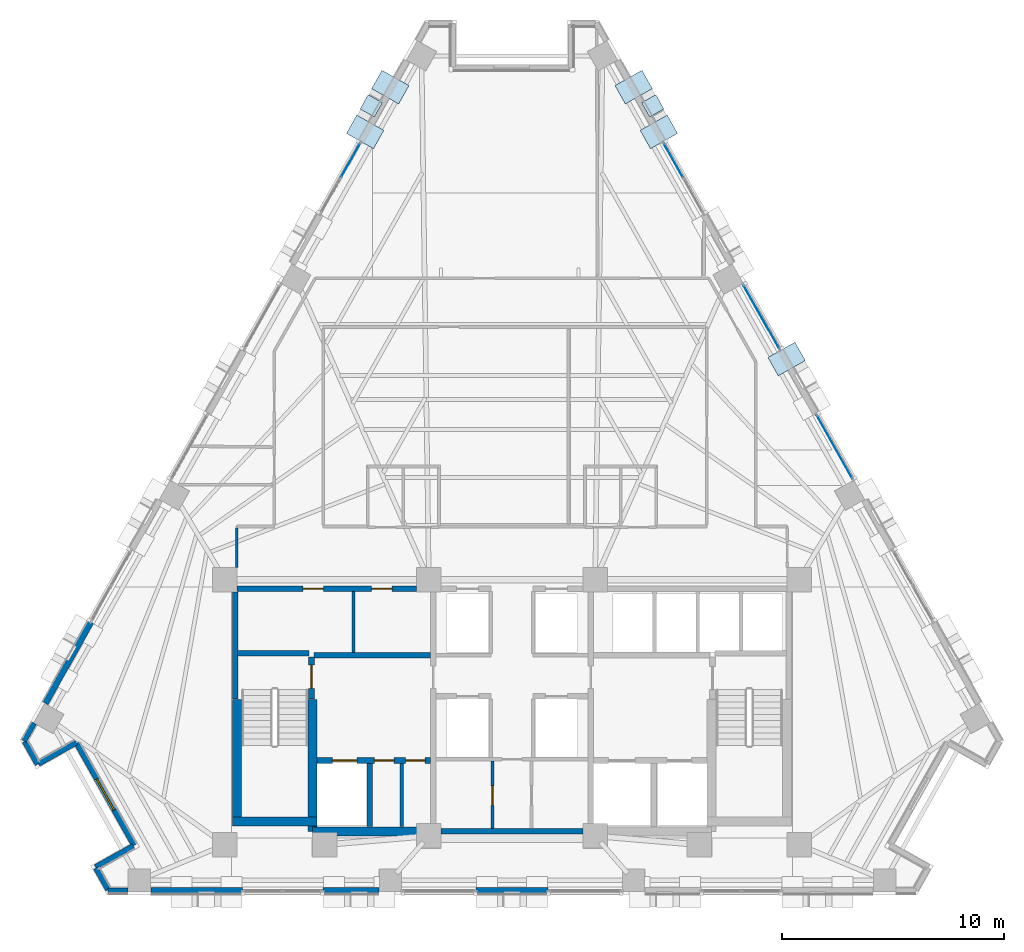
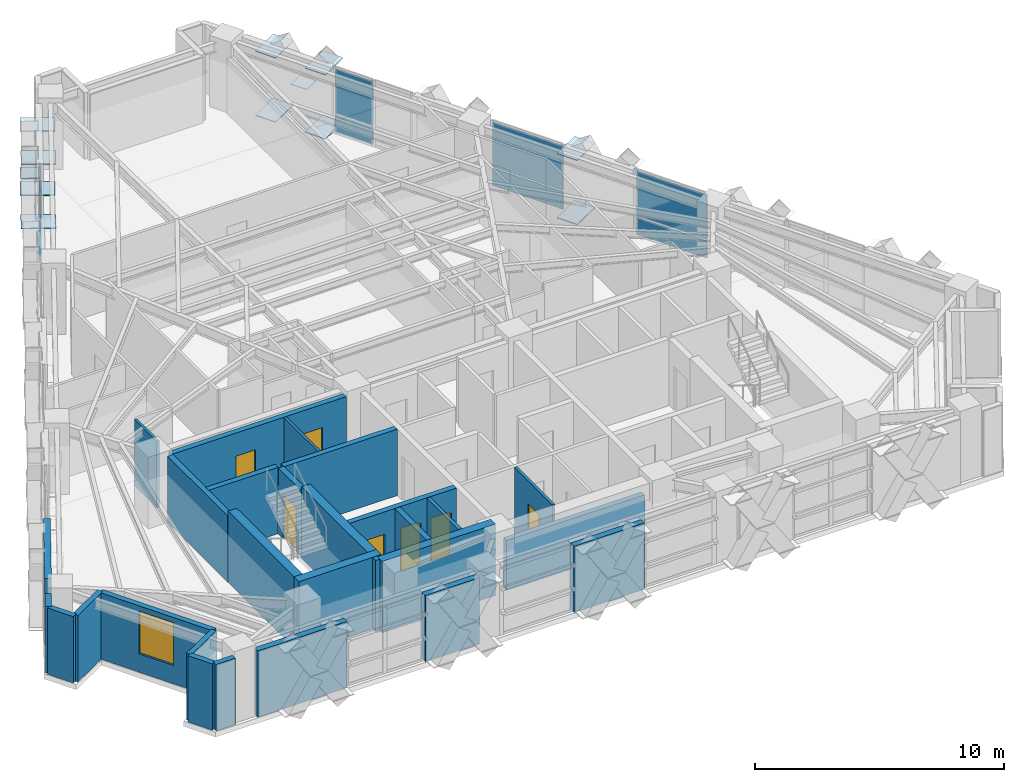
# One storey, part 7 of 14: 27 walls, 20 plates, 7 doors, 1 window, 8 openings, 4 elements without a shape of their own.
"""IFC4 building model written with IfcOpenShell, lengths in metres."""

from ifc_helpers import new_model, si_unit, direction, frame, frame_2d, origin, origin_2d, place, context, subcontext, project, spatial, rectangle, extrude, material, layer, layer_set, type_object, element, fill, aggregate, save


model = new_model("IFC4")

# Units and contexts
model_context = context("Model", 3, precision=1e-05, world=origin(), true_north=direction((0.0, 1.0)))
body_context = subcontext(model_context, "Body", "Model", "MODEL_VIEW")
ifc_project = project(units=[si_unit("LENGTHUNIT", "METRE"), si_unit("AREAUNIT", "SQUARE_METRE"), si_unit("VOLUMEUNIT", "CUBIC_METRE"), si_unit("PLANEANGLEUNIT", "RADIAN"), si_unit("MASSUNIT", "GRAM", prefix="KILO")], contexts=[model_context])

# Site, building, storey
site_placement = place(None, origin())
site = spatial("IfcSite", under=ifc_project, at=site_placement, CompositionType="ELEMENT")
building_placement = place(site_placement, origin())
building = spatial("IfcBuilding", under=site, at=building_placement, Name="Quenlor Broadcast Tower", CompositionType="ELEMENT")
storey_placement = place(building_placement, frame((0.0, 0.0, 154.5)))
storey = spatial("IfcBuildingStorey", under=building, at=storey_placement, Name="L42", CompositionType="ELEMENT", Elevation=154.5)

# Curtain wall, plates
ifc_material_1 = material(Name="Architectural Terracotta and Low-E Glazing", Category="masonry")
curtain_wall_type = type_object("IfcCurtainWallType", Name="Unitised Terracotta Curtain Wall System Z3", PredefinedType="NOTDEFINED", material=ifc_material_1)
curtain_wall_1_placement = place(storey_placement, origin())
curtain_wall_1 = element("IfcCurtainWall", 1, at=curtain_wall_1_placement, inside=storey, type_object=curtain_wall_type, Name="L42 Curtain Wall CW3 (L42-NEA-G1)", PredefinedType="NOTDEFINED")
ifc_material_2 = material(Name="Double Glazed Low-E Solar Glass", Category="glass")
ifc_layer_1 = layer(ifc_material_2, 0.028076171875)
ifc_layer_set_1 = layer_set([ifc_layer_1], Name="CW3 Double Glazed Vision Panel 28")
plate_type_1 = type_object("IfcPlateType", Name="CW3 Double Glazed Vision Panel 28", PredefinedType="CURTAIN_PANEL", material=ifc_layer_set_1)
plate_1_placement = place(storey_placement, frame((7.2763671875, 14.107421875, 0.06982421875), z_axis=(0.0, 0.0, 1.0), x_axis=(0.490270139949, -0.871570530637, 0.0)))
plate_1 = element("IfcPlate", 2, at=plate_1_placement, type_object=plate_type_1, Name="CW3 panel 1.1", PredefinedType="CURTAIN_PANEL", context=body_context, shape_type="SweptSolid", body=[
    extrude(rectangle(XDim=1.761962890625, YDim=0.028076171875, at=origin_2d()), origin(), (0.0, 0.0, 1.0), 0.844970703125),
])
plate_2_placement = place(storey_placement, frame((7.2763671875, 14.107421875, 0.98486328125), z_axis=(0.0, 0.0, 1.0), x_axis=(0.490270139949, -0.871570530637, 0.0)))
plate_2 = element("IfcPlate", 3, at=plate_2_placement, type_object=plate_type_1, Name="CW3 panel 1.2", PredefinedType="CURTAIN_PANEL", context=body_context, shape_type="SweptSolid", body=[
    extrude(rectangle(XDim=1.761962890625, YDim=0.028076171875, at=origin_2d()), origin(), (0.0, 0.0, 1.0), 2.195068359375),
])
aggregate(curtain_wall_1, [plate_1, plate_2])

curtain_wall_2_placement = place(storey_placement, origin())
curtain_wall_2 = element("IfcCurtainWall", 4, at=curtain_wall_2_placement, inside=storey, type_object=curtain_wall_type, Name="L42 Curtain Wall CW3 (L42-NE-G1)", PredefinedType="NOTDEFINED")
plate_3_placement = place(storey_placement, frame((11.250244140625, 7.04248046875, 0.06982421875), z_axis=(0.0, 0.0, 1.0), x_axis=(0.490255687418, -0.871578660222, 0.0)))
plate_3 = element("IfcPlate", 5, at=plate_3_placement, type_object=plate_type_1, Name="CW3 panel 1.1", PredefinedType="CURTAIN_PANEL", context=body_context, shape_type="SweptSolid", body=[
    extrude(rectangle(XDim=3.280517578125, YDim=0.028076171875, at=origin_2d()), origin(), (0.0, 0.0, 1.0), 0.844970703125),
])
plate_4_placement = place(storey_placement, frame((11.250244140625, 7.04248046875, 0.98486328125), z_axis=(0.0, 0.0, 1.0), x_axis=(0.490255687418, -0.871578660222, 0.0)))
plate_4 = element("IfcPlate", 6, at=plate_4_placement, type_object=plate_type_1, Name="CW3 panel 1.2", PredefinedType="CURTAIN_PANEL", context=body_context, shape_type="SweptSolid", body=[
    extrude(rectangle(XDim=3.280517578125, YDim=0.028076171875, at=origin_2d()), origin(), (0.0, 0.0, 1.0), 2.195068359375),
])
aggregate(curtain_wall_2, [plate_3, plate_4])

curtain_wall_3_placement = place(storey_placement, origin())
curtain_wall_3 = element("IfcCurtainWall", 7, at=curtain_wall_3_placement, inside=storey, type_object=curtain_wall_type, Name="L42 Curtain Wall CW3 (L42-NE-G2)", PredefinedType="NOTDEFINED")
plate_5_placement = place(storey_placement, frame((14.544677734375, 1.18603515625, 0.06982421875), z_axis=(0.0, 0.0, 1.0), x_axis=(0.490268180048, -0.871571633105, 0.0)))
plate_5 = element("IfcPlate", 8, at=plate_5_placement, type_object=plate_type_1, Name="CW3 panel 1.1", PredefinedType="CURTAIN_PANEL", context=body_context, shape_type="SweptSolid", body=[
    extrude(rectangle(XDim=3.2802734375, YDim=0.028076171875, at=origin_2d()), origin(), (0.0, 0.0, 1.0), 0.844970703125),
])
plate_6_placement = place(storey_placement, frame((14.544677734375, 1.18603515625, 0.98486328125), z_axis=(0.0, 0.0, 1.0), x_axis=(0.490268180048, -0.871571633105, 0.0)))
plate_6 = element("IfcPlate", 9, at=plate_6_placement, type_object=plate_type_1, Name="CW3 panel 1.2", PredefinedType="CURTAIN_PANEL", context=body_context, shape_type="SweptSolid", body=[
    extrude(rectangle(XDim=3.2802734375, YDim=0.028076171875, at=origin_2d()), origin(), (0.0, 0.0, 1.0), 2.195068359375),
])
aggregate(curtain_wall_3, [plate_5, plate_6])

curtain_wall_4_placement = place(storey_placement, origin())
curtain_wall_4 = element("IfcCurtainWall", 10, at=curtain_wall_4_placement, inside=storey, type_object=curtain_wall_type, Name="L42 Curtain Wall CW3 (L42-NWC-G1)", PredefinedType="NOTDEFINED")
plate_7_placement = place(storey_placement, frame((-7.2763671875, 14.107421875, 0.06982421875), z_axis=(0.0, 0.0, 1.0), x_axis=(0.490270139949, 0.871570530637, 0.0)))
plate_7 = element("IfcPlate", 11, at=plate_7_placement, type_object=plate_type_1, Name="CW3 panel 2.1", PredefinedType="CURTAIN_PANEL", context=body_context, shape_type="SweptSolid", body=[
    extrude(rectangle(XDim=1.761962890625, YDim=0.028076171875, at=origin_2d()), origin(), (0.0, 0.0, 1.0), 0.844970703125),
])
plate_8_placement = place(storey_placement, frame((-7.2763671875, 14.107421875, 0.98486328125), z_axis=(0.0, 0.0, 1.0), x_axis=(0.490270139949, 0.871570530637, 0.0)))
plate_8 = element("IfcPlate", 12, at=plate_8_placement, type_object=plate_type_1, Name="CW3 panel 2.2", PredefinedType="CURTAIN_PANEL", context=body_context, shape_type="SweptSolid", body=[
    extrude(rectangle(XDim=1.761962890625, YDim=0.028076171875, at=origin_2d()), origin(), (0.0, 0.0, 1.0), 2.195068359375),
])
aggregate(curtain_wall_4, [plate_7, plate_8])

# Plates
ifc_material_3 = material(Name="Steel S355", Category="steel")
ifc_layer_2 = layer(ifc_material_3, 0.028076171875)
ifc_layer_set_2 = layer_set([ifc_layer_2], Name="Perimeter Lattice Node Steel S355 Cap Plate 740x740x28")
plate_type_2 = type_object("IfcPlateType", Name="Perimeter Lattice Node Steel S355 Cap Plate 740x740x28", PredefinedType="USERDEFINED", material=ifc_layer_set_2)
for number, where, z_axis, x_axis, name in (
    (13, (6.345703125, 16.567626953125, 1.61572265625), (0.0, 0.0, 1.0), (0.490295412055, -0.871556314255, 0.0), "L42 Diamond Lattice Crossing Node NE-C1"),
    (14, (-6.345703125, 16.567626953125, 1.61572265625), (0.0, 0.0, 1.0), (0.490295412055, 0.871556314255, 0.0), "L42 Diamond Lattice Crossing Node NW-C5"),
):
    element("IfcPlate", number, at=place(storey_placement, frame(where, z_axis=z_axis, x_axis=x_axis)), inside=storey, type_object=plate_type_2, Name=name, ObjectType="CAP PLATE", PredefinedType="USERDEFINED", context=body_context, shape_type="SweptSolid", body=[
        extrude(rectangle(XDim=0.739990234375, YDim=0.739990234375, at=origin_2d()), origin(), (0.0, 0.0, 1.0), 0.028076171875),
    ])
ifc_material_4 = material(Name="Steel S355", Category="steel")
ifc_layer_3 = layer(ifc_material_4, 0.035888671875)
ifc_layer_set_3 = layer_set([ifc_layer_3], Name="Transfer Truss Steel S355 Gusset Node Plate 1400x950x36")
plate_type_3 = type_object("IfcPlateType", Name="Transfer Truss Steel S355 Gusset Node Plate 1400x950x36", PredefinedType="SHEET", material=ifc_layer_set_3)
for number, where, z_axis, x_axis, name in (
    (15, (5.48583984375, 17.412841796875, 0.0419921875), (0.0, 0.0, 1.0), (0.871556314255, 0.490295412055, 0.0), "L42 Lattice Tie Gusset Node NE-B1"),
    (16, (6.621337890625, 15.39404296875, 3.18212890625), (0.0, 0.0, 1.0), (0.871556314255, 0.490295412055, 0.0), "L42 Lattice Tie Gusset Node NE-T2"),
    (17, (6.621337890625, 15.39404296875, 0.0419921875), (0.0, 0.0, 1.0), (0.871556314255, 0.490295412055, 0.0), "L42 Lattice Tie Gusset Node NE-B2"),
    (18, (5.48583984375, 17.412841796875, 3.18212890625), (0.0, 0.0, 1.0), (0.871556314255, 0.490295412055, 0.0), "L42 Lattice Tie Gusset Node NE-T1"),
    (19, (12.382080078125, 5.153076171875, 0.0419921875), (0.0, 0.0, 1.0), (0.871556314255, 0.490295412055, 0.0), "L42 Lattice Tie Gusset Node NE-B7"),
    (20, (12.382080078125, 5.153076171875, 3.18212890625), (0.0, 0.0, 1.0), (0.871556314255, 0.490295412055, 0.0), "L42 Lattice Tie Gusset Node NE-T7"),
    (21, (-6.621337890625, 15.39404296875, 0.0419921875), (0.0, 0.0, 1.0), (-0.871556314255, 0.490295412055, 0.0), "L42 Lattice Tie Gusset Node NW-B13"),
    (22, (-5.48583984375, 17.412841796875, 3.18212890625), (0.0, 0.0, 1.0), (-0.871556314255, 0.490295412055, 0.0), "L42 Lattice Tie Gusset Node NW-T14"),
    (23, (-5.48583984375, 17.412841796875, 0.0419921875), (0.0, 0.0, 1.0), (-0.871556314255, 0.490295412055, 0.0), "L42 Lattice Tie Gusset Node NW-B14"),
    (24, (-6.621337890625, 15.39404296875, 3.18212890625), (0.0, 0.0, 1.0), (-0.871556314255, 0.490295412055, 0.0), "L42 Lattice Tie Gusset Node NW-T13"),
):
    element("IfcPlate", number, at=place(storey_placement, frame(where, z_axis=z_axis, x_axis=x_axis)), inside=storey, type_object=plate_type_3, Name=name, PredefinedType="SHEET", context=body_context, shape_type="SweptSolid", body=[
        extrude(rectangle(XDim=1.39990234375, YDim=0.949951171875, at=origin_2d()), origin(), (0.0, 0.0, 1.0), 0.035888671875),
    ])

# Walls
ifc_material_5 = material(Name="Concrete C50/60", Category="concrete")
ifc_layer_4 = layer(ifc_material_5, 0.39990234375)
ifc_layer_set_4 = layer_set([ifc_layer_4], Name="Core Concrete C50/60 Shear Wall 400")
wall_type_1 = type_object("IfcWallType", Name="Core Concrete C50/60 Shear Wall 400", PredefinedType="SHEAR", material=ifc_layer_set_4)
wall_1_placement = place(storey_placement, frame((-12.60009765625, -15.699951171875, 0.0), z_axis=(0.0, 0.0, 1.0), x_axis=(1.0, 0.0, 0.0)))
element("IfcWall", 25, at=wall_1_placement, inside=storey, type_object=wall_type_1, Name="L42 Core Shear Wall WS-W1", PredefinedType="SHEAR", context=body_context, shape_type="SweptSolid", body=[
    extrude(rectangle(XDim=3.800048828125, YDim=0.39990234375, at=frame_2d((1.89990234375, 0.0))), origin(), (0.0, 0.0, 1.0), 3.5),
])
wall_2_placement = place(storey_placement, frame((-9.0, -16.14990234375, 0.0), z_axis=(0.0, 0.0, 1.0), x_axis=(1.0, 0.0, 0.0)))
element("IfcWall", 26, at=wall_2_placement, inside=storey, type_object=wall_type_1, Name="L42 Core Shear Wall WS-W2", PredefinedType="SHEAR", context=body_context, shape_type="SweptSolid", body=[
    extrude(rectangle(XDim=5.25, YDim=0.39990234375, at=frame_2d((2.625, 0.0))), origin(), (0.0, 0.0, 1.0), 3.5),
])
wall_3_placement = place(storey_placement, frame((-12.39990234375, -15.699951171875, 0.0), z_axis=(0.0, 0.0, 1.0), x_axis=(0.0, 1.0, 0.0)))
element("IfcWall", 27, at=wall_3_placement, inside=storey, type_object=wall_type_1, Name="L42 Core Shear Wall WF-W", PredefinedType="SHEAR", context=body_context, shape_type="SweptSolid", body=[
    extrude(rectangle(XDim=5.5, YDim=0.39990234375, at=frame_2d((2.75, 0.0))), origin(), (0.0, 0.0, 1.0), 3.5),
])
wall_4_placement = place(storey_placement, frame((-9.0, -16.14990234375, 0.0), z_axis=(0.0, 0.0, 1.0), x_axis=(0.0, 1.0, 0.0)))
element("IfcWall", 28, at=wall_4_placement, inside=storey, type_object=wall_type_1, Name="L42 Core Shear Wall WI-W", PredefinedType="SHEAR", context=body_context, shape_type="SweptSolid", body=[
    extrude(rectangle(XDim=5.949951171875, YDim=0.39990234375, at=frame_2d((2.97509765625, 0.0))), origin(), (0.0, 0.0, 1.0), 3.5),
])

# Wall, opening, door
ifc_material_6 = material(Name="Concrete C40/50", Category="concrete")
ifc_layer_5 = layer(ifc_material_6, 0.25)
ifc_layer_set_5 = layer_set([ifc_layer_5], Name="Fire Rated Concrete C40/50 Core Wall 250")
wall_type_2 = type_object("IfcWallType", Name="Fire Rated Concrete C40/50 Core Wall 250", PredefinedType="PARTITIONING", material=ifc_layer_set_5)
wall_5_placement = place(storey_placement, frame((-9.0400390625, -10.179931640625, 0.0), z_axis=(0.0, 0.0, 1.0), x_axis=(0.0, 1.0, 0.0)))
wall_5 = element("IfcWall", 29, at=wall_5_placement, inside=storey, type_object=wall_type_2, Name="L42 Interior Wall CW-ST1-DR", PredefinedType="PARTITIONING", context=body_context, shape_type="SweptSolid", body=[
    extrude(rectangle(XDim=1.89990234375, YDim=0.25, at=frame_2d((0.949951171875, 0.0))), origin(), (0.0, 0.0, 1.0), 3.25),
])
opening_1_placement = place(wall_5_placement, frame((0.47998046875, 0.0, 0.0)))
opening_1 = element("IfcOpeningElement", 30, at=opening_1_placement, cuts=wall_5, Name="Opening FD-1", PredefinedType="OPENING", context=body_context, shape_type="SweptSolid", body=[
    extrude(rectangle(XDim=1.050048828125, YDim=2.14990234375, at=frame_2d((0.52490234375, 1.074951171875))), frame((0.0, 0.135009765625, 0.0), z_axis=(0.0, -1.0, 0.0), x_axis=(1.0, 0.0, 0.0)), (0.0, 0.0, 1.0), 0.27001953125),
])
ifc_material_7 = material(Name="Fire Rated Steel Door Leaf", Category="steel")
door_type_1 = type_object("IfcDoorType", Name="Fire Isolated Stair Door 1050x2150", OperationType="NOTDEFINED", PredefinedType="DOOR", material=ifc_material_7)
door_1_placement = place(opening_1_placement, origin())
door_1 = element("IfcDoor", 31, at=door_1_placement, inside=storey, type_object=door_type_1, Name="L42 Door DR-ST1", OperationType="SINGLE_SWING_LEFT", OverallHeight=2.14990234375, OverallWidth=1.050048828125, PredefinedType="DOOR", context=body_context, shape_type="SweptSolid", body=[
    extrude(rectangle(XDim=1.050048828125, YDim=2.14990234375, at=frame_2d((0.52490234375, 1.074951171875))), frame((0.0, 0.02490234375, 0.0), z_axis=(0.0, -1.0, 0.0), x_axis=(1.0, 0.0, 0.0)), (0.0, 0.0, 1.0), 0.050048828125),
])
fill(opening_1, door_1)

# Walls
wall_6_placement = place(storey_placement, frame((-12.3798828125, -8.1201171875, 0.0), z_axis=(0.0, 0.0, 1.0), x_axis=(1.0, 0.0, 0.0)))
element("IfcWall", 32, at=wall_6_placement, inside=storey, type_object=wall_type_2, Name="L42 Interior Wall CW-ST1-N", PredefinedType="PARTITIONING", context=body_context, shape_type="SweptSolid", body=[
    extrude(rectangle(XDim=3.219970703125, YDim=0.25, at=frame_2d((1.60986328125, 0.0))), origin(), (0.0, 0.0, 1.0), 3.25),
])
wall_7_placement = place(storey_placement, frame((-12.47998046875, -10.179931640625, 0.0), z_axis=(0.0, 0.0, 1.0), x_axis=(0.0, 1.0, 0.0)))
element("IfcWall", 33, at=wall_7_placement, inside=storey, type_object=wall_type_2, Name="L42 Interior Wall CW-ST1-W2", PredefinedType="PARTITIONING", context=body_context, shape_type="SweptSolid", body=[
    extrude(rectangle(XDim=4.827880859375, YDim=0.25, at=frame_2d((2.4140625, 0.0))), origin(), (0.0, 0.0, 1.0), 3.25),
])

# Wall, openings, doors
wall_8_placement = place(storey_placement, frame((-8.798095703125, -12.949951171875, 0.0), z_axis=(0.0, 0.0, 1.0), x_axis=(1.0, 0.0, 0.0)))
wall_8 = element("IfcWall", 34, at=wall_8_placement, inside=storey, type_object=wall_type_2, Name="L42 Interior Wall CW-FFW-S", PredefinedType="PARTITIONING", context=body_context, shape_type="SweptSolid", body=[
    extrude(rectangle(XDim=5.1181640625, YDim=0.25, at=frame_2d((2.55908203125, 0.0))), origin(), (0.0, 0.0, 1.0), 3.25),
])
opening_2_placement = place(wall_8_placement, frame((0.697998046875, 0.0, 0.0)))
opening_2 = element("IfcOpeningElement", 35, at=opening_2_placement, cuts=wall_8, Name="Opening LD-FFL-1", PredefinedType="OPENING", context=body_context, shape_type="SweptSolid", body=[
    extrude(rectangle(XDim=1.10009765625, YDim=2.14990234375, at=frame_2d((0.550048828125, 1.074951171875))), frame((0.0, 0.135009765625, 0.0), z_axis=(0.0, -1.0, 0.0), x_axis=(1.0, 0.0, 0.0)), (0.0, 0.0, 1.0), 0.27001953125),
])
opening_3_placement = place(wall_8_placement, frame((2.597900390625, 0.0, 0.0)))
opening_3 = element("IfcOpeningElement", 36, at=opening_3_placement, cuts=wall_8, Name="Opening TD-1", PredefinedType="OPENING", context=body_context, shape_type="SweptSolid", body=[
    extrude(rectangle(XDim=0.8798828125, YDim=2.10009765625, at=frame_2d((0.43994140625, 1.050048828125))), frame((0.0, 0.135009765625, 0.0), z_axis=(0.0, -1.0, 0.0), x_axis=(1.0, 0.0, 0.0)), (0.0, 0.0, 1.0), 0.27001953125),
])
opening_4_placement = place(wall_8_placement, frame((3.998046875, 0.0, 0.0)))
opening_4 = element("IfcOpeningElement", 37, at=opening_4_placement, cuts=wall_8, Name="Opening TD-1", PredefinedType="OPENING", context=body_context, shape_type="SweptSolid", body=[
    extrude(rectangle(XDim=0.8798828125, YDim=2.10009765625, at=frame_2d((0.43994140625, 1.050048828125))), frame((0.0, 0.135009765625, 0.0), z_axis=(0.0, -1.0, 0.0), x_axis=(1.0, 0.0, 0.0)), (0.0, 0.0, 1.0), 0.27001953125),
])
ifc_material_8 = material(Name="Brushed Stainless Steel", Category="steel")
door_type_2 = type_object("IfcDoorType", Name="Emergency Lift Sliding Landing Door 1100x2150", OperationType="NOTDEFINED", PredefinedType="DOOR", material=ifc_material_8)
door_2_placement = place(opening_2_placement, origin())
door_2 = element("IfcDoor", 38, at=door_2_placement, inside=storey, type_object=door_type_2, Name="L42 Door LD-FFL-1", OperationType="SLIDING_TO_LEFT", OverallHeight=2.14990234375, OverallWidth=1.10009765625, PredefinedType="DOOR", context=body_context, shape_type="SweptSolid", body=[
    extrude(rectangle(XDim=1.10009765625, YDim=2.14990234375, at=frame_2d((0.550048828125, 1.074951171875))), frame((0.0, 0.02490234375, 0.0), z_axis=(0.0, -1.0, 0.0), x_axis=(1.0, 0.0, 0.0)), (0.0, 0.0, 1.0), 0.050048828125),
])
fill(opening_2, door_2)
ifc_material_9 = material(Name="Fire Rated Steel Access Panel", Category="steel")
door_type_3 = type_object("IfcDoorType", Name="Riser Shaft Rated Access Trapdoor 880x2100", OperationType="NOTDEFINED", PredefinedType="TRAPDOOR", material=ifc_material_9)
door_3_placement = place(opening_3_placement, origin())
door_3 = element("IfcDoor", 39, at=door_3_placement, inside=storey, type_object=door_type_3, Name="L42 Door DR-ELR", OperationType="SINGLE_SWING_LEFT", OverallHeight=2.10009765625, OverallWidth=0.8798828125, PredefinedType="TRAPDOOR", context=body_context, shape_type="SweptSolid", body=[
    extrude(rectangle(XDim=0.8798828125, YDim=2.10009765625, at=frame_2d((0.43994140625, 1.050048828125))), frame((0.0, 0.02490234375, 0.0), z_axis=(0.0, -1.0, 0.0), x_axis=(1.0, 0.0, 0.0)), (0.0, 0.0, 1.0), 0.050048828125),
])
fill(opening_3, door_3)
door_4_placement = place(opening_4_placement, origin())
door_4 = element("IfcDoor", 40, at=door_4_placement, inside=storey, type_object=door_type_3, Name="L42 Door DR-CMR", OperationType="SINGLE_SWING_RIGHT", OverallHeight=2.10009765625, OverallWidth=0.8798828125, PredefinedType="TRAPDOOR", context=body_context, shape_type="SweptSolid", body=[
    extrude(rectangle(XDim=0.8798828125, YDim=2.10009765625, at=frame_2d((0.43994140625, 1.050048828125))), frame((0.0, 0.02490234375, 0.0), z_axis=(0.0, -1.0, 0.0), x_axis=(1.0, 0.0, 0.0)), (0.0, 0.0, 1.0), 0.050048828125),
])
fill(opening_4, door_4)

# Walls
wall_9_placement = place(storey_placement, frame((-6.419921875, -15.919921875, 0.0), z_axis=(0.0, 0.0, 1.0), x_axis=(0.0, 1.0, 0.0)))
element("IfcWall", 41, at=wall_9_placement, inside=storey, type_object=wall_type_2, Name="L42 Interior Wall CW-FF1-E", PredefinedType="PARTITIONING", context=body_context, shape_type="SweptSolid", body=[
    extrude(rectangle(XDim=2.829833984375, YDim=0.25, at=frame_2d((1.4150390625, 0.0))), origin(), (0.0, 0.0, 1.0), 3.25),
])
wall_10_placement = place(storey_placement, frame((-8.919921875, -8.199951171875, 0.0), z_axis=(0.0, 0.0, 1.0), x_axis=(1.0, 0.0, 0.0)))
element("IfcWall", 42, at=wall_10_placement, inside=storey, type_object=wall_type_2, Name="L42 Interior Wall CW-FFW-N", PredefinedType="PARTITIONING", context=body_context, shape_type="SweptSolid", body=[
    extrude(rectangle(XDim=5.239990234375, YDim=0.25, at=frame_2d((2.6201171875, 0.0))), origin(), (0.0, 0.0, 1.0), 3.25),
])

# Wall, openings, doors
wall_11_placement = place(storey_placement, frame((-12.39794921875, -5.199951171875, 0.0), z_axis=(0.0, 0.0, 1.0), x_axis=(1.0, 0.0, 0.0)))
wall_11 = element("IfcWall", 43, at=wall_11_placement, inside=storey, type_object=wall_type_2, Name="L42 Interior Wall CW-N-W", PredefinedType="PARTITIONING", context=body_context, shape_type="SweptSolid", body=[
    extrude(rectangle(XDim=8.095947265625, YDim=0.25, at=frame_2d((4.0478515625, 0.0))), origin(), (0.0, 0.0, 1.0), 3.25),
])
opening_5_placement = place(wall_11_placement, frame((2.968017578125, 0.0, 0.0)))
opening_5 = element("IfcOpeningElement", 44, at=opening_5_placement, cuts=wall_11, Name="Opening ID-1", PredefinedType="OPENING", context=body_context, shape_type="SweptSolid", body=[
    extrude(rectangle(XDim=0.919921875, YDim=2.1201171875, at=frame_2d((0.4599609375, 1.06005859375))), frame((0.0, 0.135009765625, 0.0), z_axis=(0.0, -1.0, 0.0), x_axis=(1.0, 0.0, 0.0)), (0.0, 0.0, 1.0), 0.27001953125),
])
opening_6_placement = place(wall_11_placement, frame((6.068115234375, 0.0, 0.0)))
opening_6 = element("IfcOpeningElement", 45, at=opening_6_placement, cuts=wall_11, Name="Opening ID-1", PredefinedType="OPENING", context=body_context, shape_type="SweptSolid", body=[
    extrude(rectangle(XDim=0.919921875, YDim=2.1201171875, at=frame_2d((0.4599609375, 1.06005859375))), frame((0.0, 0.135009765625, 0.0), z_axis=(0.0, -1.0, 0.0), x_axis=(1.0, 0.0, 0.0)), (0.0, 0.0, 1.0), 0.27001953125),
])
ifc_material_10 = material(Name="Solid Core Timber Oak", Category="wood")
door_type_4 = type_object("IfcDoorType", Name="Single Leaf Timber Office Door 920x2120", OperationType="NOTDEFINED", PredefinedType="DOOR", material=ifc_material_10)
door_5_placement = place(opening_5_placement, origin())
door_5 = element("IfcDoor", 46, at=door_5_placement, inside=storey, type_object=door_type_4, Name="L42 Door DR-RCL1", OperationType="SINGLE_SWING_LEFT", OverallHeight=2.1201171875, OverallWidth=0.919921875, PredefinedType="DOOR", context=body_context, shape_type="SweptSolid", body=[
    extrude(rectangle(XDim=0.919921875, YDim=2.1201171875, at=frame_2d((0.4599609375, 1.06005859375))), frame((0.0, 0.02490234375, 0.0), z_axis=(0.0, -1.0, 0.0), x_axis=(1.0, 0.0, 0.0)), (0.0, 0.0, 1.0), 0.050048828125),
])
fill(opening_5, door_5)
door_6_placement = place(opening_6_placement, origin())
door_6 = element("IfcDoor", 47, at=door_6_placement, inside=storey, type_object=door_type_4, Name="L42 Door DR-RCL2", OperationType="SINGLE_SWING_RIGHT", OverallHeight=2.1201171875, OverallWidth=0.919921875, PredefinedType="DOOR", context=body_context, shape_type="SweptSolid", body=[
    extrude(rectangle(XDim=0.919921875, YDim=2.1201171875, at=frame_2d((0.4599609375, 1.06005859375))), frame((0.0, 0.02490234375, 0.0), z_axis=(0.0, -1.0, 0.0), x_axis=(1.0, 0.0, 0.0)), (0.0, 0.0, 1.0), 0.050048828125),
])
fill(opening_6, door_6)

# Walls
wall_12_placement = place(storey_placement, frame((-3.197998046875, -16.14990234375, 0.0), z_axis=(0.0, 0.0, 1.0), x_axis=(1.0, 0.0, 0.0)))
element("IfcWall", 48, at=wall_12_placement, inside=storey, type_object=wall_type_2, Name="L42 Interior Wall CW-MS-S", PredefinedType="PARTITIONING", context=body_context, shape_type="SweptSolid", body=[
    extrude(rectangle(XDim=6.39599609375, YDim=0.25, at=frame_2d((3.197998046875, 0.0))), origin(), (0.0, 0.0, 1.0), 2.449951171875),
])
ifc_material_11 = material(Name="Gypsum Fireboard Partition", Category="other")
ifc_layer_6 = layer(ifc_material_11, 0.159912109375)
ifc_layer_set_6 = layer_set([ifc_layer_6], Name="Fire Rated Shaft and Corridor Partition 160")
wall_type_3 = type_object("IfcWallType", Name="Fire Rated Shaft and Corridor Partition 160", PredefinedType="PARTITIONING", material=ifc_layer_set_6)
wall_13_placement = place(storey_placement, frame((-4.97998046875, -15.919921875, 0.0), z_axis=(0.0, 0.0, 1.0), x_axis=(0.0, 1.0, 0.0)))
element("IfcWall", 49, at=wall_13_placement, inside=storey, type_object=wall_type_3, Name="L42 Interior Wall CW-ELR-E", PredefinedType="PARTITIONING", context=body_context, shape_type="SweptSolid", body=[
    extrude(rectangle(XDim=2.829833984375, YDim=0.159912109375, at=frame_2d((1.4150390625, 0.0))), origin(), (0.0, 0.0, 1.0), 3.25),
])
ifc_material_12 = material(Name="Gypsum Plasterboard Partition", Category="other")
ifc_layer_7 = layer(ifc_material_12, 0.1201171875)
ifc_layer_set_7 = layer_set([ifc_layer_7], Name="Standard Office Partition 120")
wall_type_4 = type_object("IfcWallType", Name="Standard Office Partition 120", PredefinedType="PARTITIONING", material=ifc_layer_set_7)
wall_14_placement = place(storey_placement, frame((-7.14990234375, -8.072998046875, 0.0), z_axis=(0.0, 0.0, 1.0), x_axis=(0.0, 1.0, 0.0)))
element("IfcWall", 50, at=wall_14_placement, inside=storey, type_object=wall_type_4, Name="L42 Interior Wall CW-RCL-MID", PredefinedType="PARTITIONING", context=body_context, shape_type="SweptSolid", body=[
    extrude(rectangle(XDim=2.73291015625, YDim=0.1201171875, at=frame_2d((1.366455078125, 0.0))), origin(), (0.0, 0.0, 1.0), 3.25),
])

# Wall, opening, door
wall_15_placement = place(storey_placement, frame((-0.8798828125, -16.02001953125, 0.0), z_axis=(0.0, 0.0, 1.0), x_axis=(0.0, 1.0, 0.0)))
wall_15 = element("IfcWall", 51, at=wall_15_placement, inside=storey, type_object=wall_type_4, Name="L42 Interior Wall CW-CSV-W3", PredefinedType="PARTITIONING", context=body_context, shape_type="SweptSolid", body=[
    extrude(rectangle(XDim=3.0380859375, YDim=0.1201171875, at=frame_2d((1.51904296875, 0.0))), origin(), (0.0, 0.0, 1.0), 3.25),
])
opening_7_placement = place(wall_15_placement, frame((1.050048828125, 0.0, 0.0)))
opening_7 = element("IfcOpeningElement", 52, at=opening_7_placement, cuts=wall_15, Name="Opening ID-4", PredefinedType="OPENING", context=body_context, shape_type="SweptSolid", body=[
    extrude(rectangle(XDim=0.8798828125, YDim=2.1201171875, at=frame_2d((0.43994140625, 1.06005859375))), frame((0.0, 0.070068359375, 0.0), z_axis=(0.0, -1.0, 0.0), x_axis=(1.0, 0.0, 0.0)), (0.0, 0.0, 1.0), 0.14013671875),
])
ifc_material_13 = material(Name="Solid Core Timber Oak", Category="wood")
door_type_5 = type_object("IfcDoorType", Name="Service Closet Timber Door 880x2120", OperationType="NOTDEFINED", PredefinedType="DOOR", material=ifc_material_13)
door_7_placement = place(opening_7_placement, origin())
door_7 = element("IfcDoor", 53, at=door_7_placement, inside=storey, type_object=door_type_5, Name="L42 Door DR-CSV1", OperationType="SINGLE_SWING_LEFT", OverallHeight=2.1201171875, OverallWidth=0.8798828125, PredefinedType="DOOR", context=body_context, shape_type="SweptSolid", body=[
    extrude(rectangle(XDim=0.8798828125, YDim=2.1201171875, at=frame_2d((0.43994140625, 1.06005859375))), frame((0.0, 0.02490234375, 0.0), z_axis=(0.0, -1.0, 0.0), x_axis=(1.0, 0.0, 0.0)), (0.0, 0.0, 1.0), 0.050048828125),
])
fill(opening_7, door_7)

# Walls
wall_16_placement = place(storey_placement, frame((-12.409912109375, -4.248046875, 0.0), z_axis=(0.0, 0.0, 1.0), x_axis=(0.0, 1.0, 0.0)))
element("IfcWall", 54, at=wall_16_placement, inside=storey, type_object=wall_type_4, Name="L42 Interior Wall PW-CR-09", PredefinedType="PARTITIONING", context=body_context, shape_type="SweptSolid", body=[
    extrude(rectangle(XDim=1.7861328125, YDim=0.1201171875, at=frame_2d((0.89306640625, 0.0))), origin(), (0.0, 0.0, 1.0), 3.25),
])
ifc_material_14 = material(Name="Precast concrete C40/50", Category="concrete")
ifc_layer_8 = layer(ifc_material_14, 0.239990234375)
ifc_layer_set_8 = layer_set([ifc_layer_8], Name="Terrace Threshold Precast Concrete C40/50 Wall 240")
wall_type_5 = type_object("IfcWallType", Name="Terrace Threshold Precast Concrete C40/50 Wall 240", PredefinedType="STANDARD", material=ifc_layer_set_8)
wall_17_placement = place(storey_placement, frame((-17.3134765625, -18.824951171875, 0.0), z_axis=(0.0, 0.0, 1.0), x_axis=(-1.0, 0.0, 0.0)))
element("IfcWall", 55, at=wall_17_placement, inside=storey, type_object=wall_type_5, Name="L42 Exterior Wall L42-SHD-SS1", PredefinedType="STANDARD", context=body_context, shape_type="SweptSolid", body=[
    extrude(rectangle(XDim=0.896484375, YDim=0.239990234375, at=frame_2d((0.4482421875, 0.0))), origin(), (0.0, 0.0, 1.0), 3.25),
])
wall_18_placement = place(storey_placement, frame((-22.003173828125, -12.073486328125, 0.0), z_axis=(0.0, 0.0, 1.0), x_axis=(0.490248718924, 0.871582579905, 0.0)))
element("IfcWall", 56, at=wall_18_placement, inside=storey, type_object=wall_type_5, Name="L42 Exterior Wall L42-SHD-NWS0", PredefinedType="STANDARD", context=body_context, shape_type="SweptSolid", body=[
    extrude(rectangle(XDim=0.92578125, YDim=0.239990234375, at=frame_2d((0.462890625, 0.0))), origin(), (0.0, 0.0, 1.0), 3.25),
])
wall_19_placement = place(storey_placement, frame((-21.976806640625, -12.08349609375, 0.0), z_axis=(0.0, 0.0, 1.0), x_axis=(0.490154352582, -0.871635652463, 0.0)))
element("IfcWall", 57, at=wall_19_placement, inside=storey, type_object=wall_type_5, Name="L42 Exterior Wall L42-CNR-12", PredefinedType="STANDARD", context=body_context, shape_type="SweptSolid", body=[
    extrude(rectangle(XDim=1.19287109375, YDim=0.239990234375, at=frame_2d((0.596435546875, 0.0))), origin(), (0.0, 0.0, 1.0), 3.25),
])
wall_20_placement = place(storey_placement, frame((-21.357421875, -13.103515625, 0.0), z_axis=(0.0, 0.0, 1.0), x_axis=(0.871595493845, 0.490225759328, 0.0)))
element("IfcWall", 58, at=wall_20_placement, inside=storey, type_object=wall_type_5, Name="L42 Exterior Wall L42-CNR-13", PredefinedType="STANDARD", context=body_context, shape_type="SweptSolid", body=[
    extrude(rectangle(XDim=1.960205078125, YDim=0.239990234375, at=frame_2d((0.97998046875, 0.0))), origin(), (0.0, 0.0, 1.0), 3.25),
])

# Wall, opening, window
wall_21_placement = place(storey_placement, frame((-19.62939453125, -12.177490234375, 0.0), z_axis=(0.0, 0.0, 1.0), x_axis=(0.490276606961, -0.871566892824, 0.0)))
wall_21 = element("IfcWall", 59, at=wall_21_placement, inside=storey, type_object=wall_type_5, Name="L42 Exterior Wall L42-CNR-14", PredefinedType="STANDARD", context=body_context, shape_type="SweptSolid", body=[
    extrude(rectangle(XDim=5.280029296875, YDim=0.239990234375, at=frame_2d((2.64013671875, 0.0))), origin(), (0.0, 0.0, 1.0), 3.25),
])
opening_8_placement = place(wall_21_placement, frame((1.840087890625, 0.0, 0.89990234375)))
opening_8 = element("IfcOpeningElement", 60, at=opening_8_placement, cuts=wall_21, Name="Opening WN-2", PredefinedType="OPENING", context=body_context, shape_type="SweptSolid", body=[
    extrude(rectangle(XDim=1.60009765625, YDim=2.10009765625, at=frame_2d((0.800048828125, 1.050048828125))), frame((0.0, 0.1298828125, 0.0), z_axis=(0.0, -1.0, 0.0), x_axis=(1.0, 0.0, 0.0)), (0.0, 0.0, 1.0), 0.260009765625),
])
ifc_material_15 = material(Name="Thermally Broken Aluminium and Low-E Glass", Category="aluminium")
window_type = type_object("IfcWindowType", Name="Tower Studio Punched Window 1600x2100", PartitioningType="SINGLE_PANEL", PredefinedType="WINDOW", material=ifc_material_15)
window_placement = place(opening_8_placement, origin())
window = element("IfcWindow", 61, at=window_placement, inside=storey, type_object=window_type, Name="L42 Corner Chamfer Window 14", OverallHeight=2.10009765625, OverallWidth=1.60009765625, PartitioningType="SINGLE_PANEL", PredefinedType="WINDOW", context=body_context, shape_type="SweptSolid", body=[
    extrude(rectangle(XDim=1.60009765625, YDim=2.10009765625, at=frame_2d((0.800048828125, 1.050048828125))), frame((0.0, 0.030029296875, 0.0), z_axis=(0.0, -1.0, 0.0), x_axis=(1.0, 0.0, 0.0)), (0.0, 0.0, 1.0), 0.06005859375),
])
fill(opening_8, window)

# Walls
wall_22_placement = place(storey_placement, frame((-17.07568359375, -16.799072265625, 0.0), z_axis=(0.0, 0.0, 1.0), x_axis=(-0.871565557139, -0.490278981406, 0.0)))
element("IfcWall", 62, at=wall_22_placement, inside=storey, type_object=wall_type_5, Name="L42 Exterior Wall L42-CNR-15", PredefinedType="STANDARD", context=body_context, shape_type="SweptSolid", body=[
    extrude(rectangle(XDim=1.9599609375, YDim=0.239990234375, at=frame_2d((0.97998046875, 0.0))), origin(), (0.0, 0.0, 1.0), 3.25),
])
wall_23_placement = place(storey_placement, frame((-18.764404296875, -17.794921875, 0.0), z_axis=(0.0, 0.0, 1.0), x_axis=(0.490353621339, -0.871523565969, 0.0)))
element("IfcWall", 63, at=wall_23_placement, inside=storey, type_object=wall_type_5, Name="L42 Exterior Wall L42-CNR-16", PredefinedType="STANDARD", context=body_context, shape_type="SweptSolid", body=[
    extrude(rectangle(XDim=1.129150390625, YDim=0.239990234375, at=frame_2d((0.564453125, 0.0))), origin(), (0.0, 0.0, 1.0), 3.25),
])
ifc_material_16 = material(Name="Precast concrete C40/50", Category="concrete")
ifc_layer_9 = layer(ifc_material_16, 0.280029296875)
ifc_layer_set_9 = layer_set([ifc_layer_9], Name="Terracotta Precast Concrete C40/50 Facade Wall 280")
wall_type_6 = type_object("IfcWallType", Name="Terracotta Precast Concrete C40/50 Facade Wall 280", PredefinedType="STANDARD", material=ifc_layer_set_9)
wall_24_placement = place(storey_placement, frame((-6.006103515625, -18.824951171875, 0.0), z_axis=(0.0, 0.0, 1.0), x_axis=(-1.0, 0.0, 0.0)))
element("IfcWall", 64, at=wall_24_placement, inside=storey, type_object=wall_type_6, Name="L42 Exterior Wall L42-SC-SP1", PredefinedType="STANDARD", context=body_context, shape_type="SweptSolid", body=[
    extrude(rectangle(XDim=2.5087890625, YDim=0.280029296875, at=frame_2d((1.25439453125, 0.0))), origin(), (0.0, 0.0, 1.0), 3.25),
])
wall_25_placement = place(storey_placement, frame((-12.14892578125, -18.824951171875, 0.0), z_axis=(0.0, 0.0, 1.0), x_axis=(-1.0, 0.0, 0.0)))
element("IfcWall", 65, at=wall_25_placement, inside=storey, type_object=wall_type_6, Name="L42 Exterior Wall L42-SC-SP2", PredefinedType="STANDARD", context=body_context, shape_type="SweptSolid", body=[
    extrude(rectangle(XDim=4.134521484375, YDim=0.280029296875, at=frame_2d((2.0673828125, 0.0))), origin(), (0.0, 0.0, 1.0), 3.25),
])
wall_26_placement = place(storey_placement, frame((1.626953125, -18.824951171875, 0.0), z_axis=(0.0, 0.0, 1.0), x_axis=(-1.0, 0.0, 0.0)))
element("IfcWall", 66, at=wall_26_placement, inside=storey, type_object=wall_type_6, Name="L42 Exterior Wall L42-S-SP1", PredefinedType="STANDARD", context=body_context, shape_type="SweptSolid", body=[
    extrude(rectangle(XDim=3.25390625, YDim=0.280029296875, at=frame_2d((1.626953125, 0.0))), origin(), (0.0, 0.0, 1.0), 3.25),
])
wall_27_placement = place(storey_placement, frame((-21.044189453125, -10.368896484375, 0.0), z_axis=(0.0, 0.0, 1.0), x_axis=(0.490230882965, 0.871592612054, 0.0)))
element("IfcWall", 67, at=wall_27_placement, inside=storey, type_object=wall_type_6, Name="L42 Exterior Wall L42-NWA-SP1", PredefinedType="STANDARD", context=body_context, shape_type="SweptSolid", body=[
    extrude(rectangle(XDim=4.2001953125, YDim=0.280029296875, at=frame_2d((2.10009765625, 0.0))), origin(), (0.0, 0.0, 1.0), 3.25),
])

save(model, "model.ifc")
